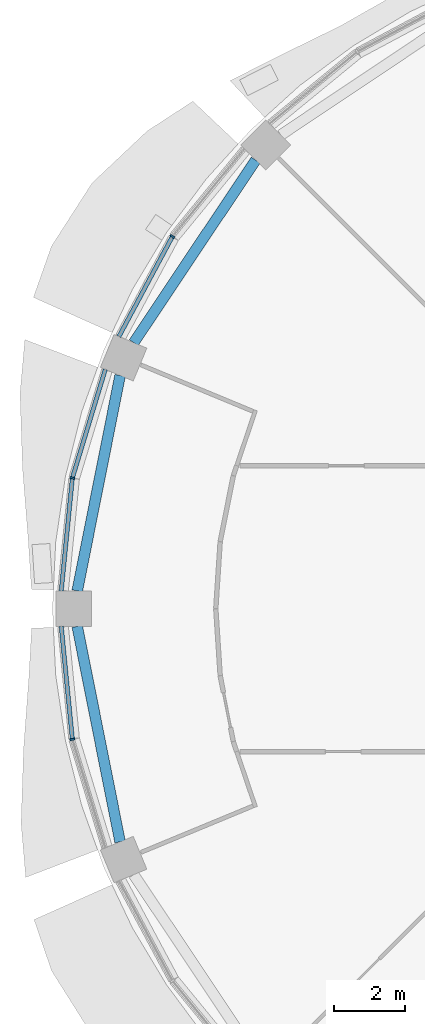
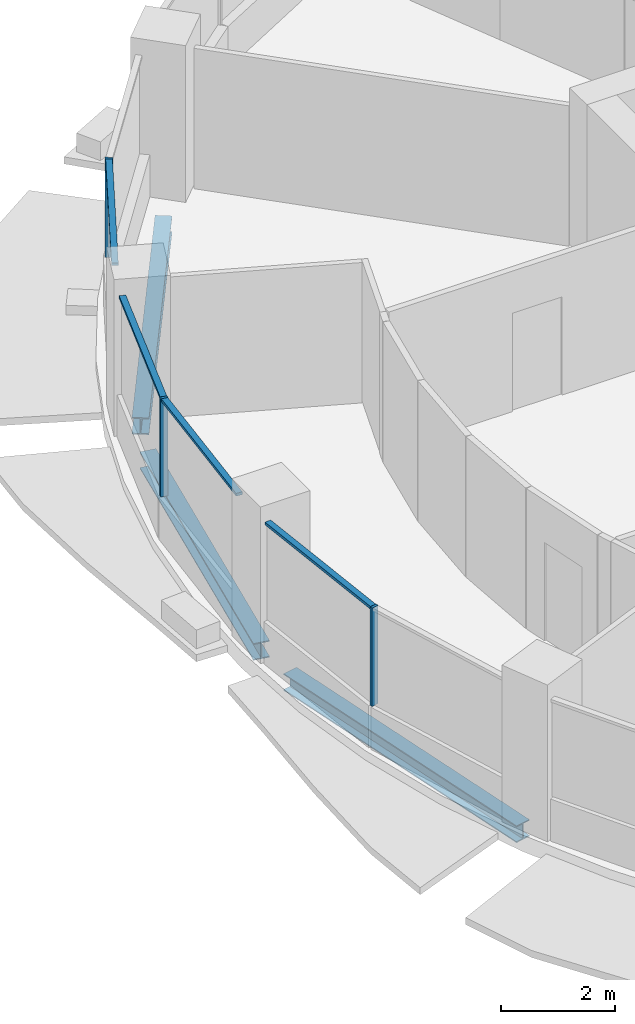
# One storey, part 4 of 15: 7 members, 3 beams, 3 elements without a shape of their own.
"""IFC4 building model written with IfcOpenShell, lengths in metres."""

import ifcopenshell
import ifcopenshell.guid

model = None  # the IFC model being written
_history = None  # IfcOwnerHistory: only IFC2X3 demands one
_inside = {}  # id of a spatial element -> (the spatial element, [elements in it])
_under = {}  # id of a project, library or spatial element -> (it, [spatial elements below it])
_declared = {}  # id of a project -> (the project, [libraries it declares])
_typed = {}  # id of a type object -> (the type object, [elements of that type])
_made_of = {}  # id of a material, layer set ... -> (it, [elements and type objects made of it])


def new_model(schema):
    """Start an empty IFC model of exactly this schema.

    Asked for "IFC4X3", IfcOpenShell would pick the latest addendum, in which some entities
    have other attributes; the version numbers below select the first issue.
    IFC2X3 requires an IfcOwnerHistory on every rooted entity: one is made here for all.
    """
    global model, _history
    if schema == "IFC4X3":
        model = ifcopenshell.file(schema_version=(4, 3, 0, 0))
    else:
        model = ifcopenshell.file(schema=schema)
    _inside.clear()
    _under.clear()
    _declared.clear()
    _typed.clear()
    _made_of.clear()
    _history = None
    if model.schema == "IFC2X3":
        org = make("IfcOrganization", Name="unknown")
        user = make(
            "IfcPersonAndOrganization",
            ThePerson=make("IfcPerson", FamilyName="unknown"),
            TheOrganization=org,
        )
        app = make(
            "IfcApplication",
            ApplicationDeveloper=org,
            Version="unknown",
            ApplicationFullName="unknown",
            ApplicationIdentifier="unknown",
        )
        _history = make(
            "IfcOwnerHistory",
            OwningUser=user,
            OwningApplication=app,
            ChangeAction="ADDED",
            CreationDate=0,
        )
    return model


def make(cls, **values):
    """One entity of the class cls with the attributes given. An attribute that is None is left unset."""
    return model.create_entity(
        cls, **{name: value for name, value in values.items() if value is not None}
    )


def rooted(cls, **values):
    """An entity with a GlobalId (a new one), such as an element, a storey or a relation."""
    return make(cls, GlobalId=ifcopenshell.guid.new(), OwnerHistory=_history, **values)


def si_unit(unit_type, name, prefix=None):
    """IfcSIUnit, for example si_unit("LENGTHUNIT", "METRE", prefix="MILLI")."""
    return make("IfcSIUnit", UnitType=unit_type, Prefix=prefix, Name=name)


def assignment(units):
    """IfcUnitAssignment: the units of a project."""
    return None if units is None else make("IfcUnitAssignment", Units=units)


def point(xyz):
    """IfcCartesianPoint."""
    return None if xyz is None else make("IfcCartesianPoint", Coordinates=xyz)


def direction(xyz):
    """IfcDirection."""
    return None if xyz is None else make("IfcDirection", DirectionRatios=xyz)


def frame(location, z_axis=None, x_axis=None):
    """IfcAxis2Placement3D, a coordinate frame: its origin and axes. An axis left out is left unset."""
    return make(
        "IfcAxis2Placement3D",
        Location=point(location),
        Axis=direction(z_axis),
        RefDirection=direction(x_axis),
    )


def frame_2d(location, x_axis=None):
    """IfcAxis2Placement2D, a coordinate frame in the plane: its origin and x axis."""
    return make(
        "IfcAxis2Placement2D", Location=point(location), RefDirection=direction(x_axis)
    )


def origin():
    """The frame at (0, 0, 0) with its axes left unset."""
    return frame((0.0, 0.0, 0.0))


def origin_2d():
    """The frame at (0, 0) in the plane with its x axis left unset."""
    return frame_2d((0.0, 0.0))


def place(relative_to, where):
    """IfcLocalPlacement: puts the frame where relative to a parent placement (None: the world)."""
    return make(
        "IfcLocalPlacement", PlacementRelTo=relative_to, RelativePlacement=where
    )


def context(
    kind, dimensions, precision=None, world=None, true_north=None, identifier=None
):
    """IfcGeometricRepresentationContext, for example the 3D "Model" context."""
    return make(
        "IfcGeometricRepresentationContext",
        ContextIdentifier=identifier,
        ContextType=kind,
        CoordinateSpaceDimension=dimensions,
        Precision=precision,
        WorldCoordinateSystem=world,
        TrueNorth=true_north,
    )


def subcontext(parent, identifier, kind, view, scale=None):
    """IfcGeometricRepresentationSubContext, for example "Body" below "Model"."""
    return make(
        "IfcGeometricRepresentationSubContext",
        ContextIdentifier=identifier,
        ContextType=kind,
        ParentContext=parent,
        TargetScale=scale,
        TargetView=view,
    )


def project(units=None, contexts=None):
    """IfcProject with its units and contexts."""
    return rooted(
        "IfcProject",
        Name="project",
        RepresentationContexts=contexts,
        UnitsInContext=assignment(units),
    )


def spatial(cls, under=None, at=None, **own):
    """A site, building, storey or space (cls), placed at a placement, below another one or the project."""
    s = rooted(cls, ObjectPlacement=at, **own)
    if under is not None:
        _under.setdefault(under.id(), (under, []))[1].append(s)
    return s


def profile(cls, at=None, kind="AREA", **sizes):
    """A parametric profile (cls). Its sizes go by their IFC names, for example OverallWidth=200.0."""
    return make(cls, ProfileType=kind, Position=at, **sizes)


def rectangle(**sizes):
    """IfcRectangleProfileDef."""
    return profile("IfcRectangleProfileDef", **sizes)


def i_section(**sizes):
    """IfcIShapeProfileDef."""
    return profile("IfcIShapeProfileDef", **sizes)


def extrude(swept, where, along, depth):
    """IfcExtrudedAreaSolid: the profile swept, set in the frame where, extruded along a direction by depth."""
    return make(
        "IfcExtrudedAreaSolid",
        SweptArea=swept,
        Position=where,
        ExtrudedDirection=direction(along),
        Depth=depth,
    )


def shape(context_of_items, identifier, shape_type, items):
    """IfcShapeRepresentation: the items that make up one representation, for example the "Body"."""
    return make(
        "IfcShapeRepresentation",
        ContextOfItems=context_of_items,
        RepresentationIdentifier=identifier,
        RepresentationType=shape_type,
        Items=items,
    )


def material(Name=None, Category=None):
    """IfcMaterial."""
    return make("IfcMaterial", Name=Name, Category=Category)


def material_profile(
    of_material, cross_section, Name=None, Category=None, Priority=None
):
    """IfcMaterialProfile: a cross section and its material."""
    return make(
        "IfcMaterialProfile",
        Name=Name,
        Material=of_material,
        Profile=cross_section,
        Priority=Priority,
        Category=Category,
    )


def profile_set(profiles, Name=None, composite=None):
    """IfcMaterialProfileSet."""
    return make(
        "IfcMaterialProfileSet",
        Name=Name,
        MaterialProfiles=profiles,
        CompositeProfile=composite,
    )


def made_of(thing, what):
    """Note that an element or type object is made of a material, layer set ...; save() writes the relation."""
    if what is not None:
        _made_of.setdefault(what.id(), (what, []))[1].append(thing)
    return thing


def type_object(cls, material=None, **own):
    """A type object (cls), such as IfcWallType, which elements share."""
    return made_of(rooted(cls, **own), material)


def element(
    cls,
    number,
    at=None,
    inside=None,
    cuts=None,
    type_object=None,
    material=None,
    context=None,
    identifier="Body",
    shape_type=None,
    held_by="IfcProductDefinitionShape",
    body=None,
    shapes=None,
    **own,
):
    """One element of the class cls, such as IfcWall. Its Tag is "e" and its number.

    at: its placement. inside: the storey or other place that contains it. cuts: it is an
    opening in that element (IfcRelVoidsElement). A single representation is given by context,
    identifier, shape_type and body (its items); several are given by shapes. held_by: the class
    of the entity that holds the representations. save() writes the other relations.
    """
    e = rooted(cls, Tag="e%d" % number, ObjectPlacement=at, **own)
    if body is not None:
        shapes = [shape(context, identifier, shape_type, body)]
    if shapes is not None:
        e.Representation = make(held_by, Representations=shapes)
    if inside is not None:
        _inside.setdefault(inside.id(), (inside, []))[1].append(e)
    if cuts is not None:
        rooted(
            "IfcRelVoidsElement", RelatingBuildingElement=cuts, RelatedOpeningElement=e
        )
    if type_object is not None:
        _typed.setdefault(type_object.id(), (type_object, []))[1].append(e)
    return made_of(e, material)


def aggregate(whole, parts):
    """IfcRelAggregates: a whole, such as a stair, and the parts it consists of."""
    return rooted("IfcRelAggregates", RelatingObject=whole, RelatedObjects=parts)


def save(model, path):
    """Write the relations noted so far, then the file.

    IfcRelAggregates (storeys below a building ...), IfcRelContainedInSpatialStructure (elements
    in a storey), IfcRelDefinesByType, IfcRelAssociatesMaterial and IfcRelDeclares: one each for
    every whole, place, type object, material and project.
    """
    for whole, parts in _under.values():
        aggregate(whole, parts)
    for where, things in _inside.values():
        rooted(
            "IfcRelContainedInSpatialStructure",
            RelatedElements=things,
            RelatingStructure=where,
        )
    for kind, things in _typed.values():
        rooted("IfcRelDefinesByType", RelatedObjects=things, RelatingType=kind)
    for what, things in _made_of.values():
        rooted("IfcRelAssociatesMaterial", RelatedObjects=things, RelatingMaterial=what)
    for by, libraries in _declared.values():
        rooted("IfcRelDeclares", RelatingContext=by, RelatedDefinitions=libraries)
    model.write(path)


model = new_model("IFC4")

# Units and contexts
model_context = context("Model", 3, precision=1e-05, world=origin(), true_north=direction((0.0, 1.0)))
body_context = subcontext(model_context, "Body", "Model", "MODEL_VIEW")
ifc_project = project(units=[si_unit("LENGTHUNIT", "METRE"), si_unit("AREAUNIT", "SQUARE_METRE"), si_unit("VOLUMEUNIT", "CUBIC_METRE"), si_unit("PLANEANGLEUNIT", "RADIAN"), si_unit("MASSUNIT", "GRAM", prefix="KILO")], contexts=[model_context])

# Site, building, storey
site_placement = place(None, origin())
site = spatial("IfcSite", under=ifc_project, at=site_placement, CompositionType="ELEMENT")
building_placement = place(site_placement, origin())
building = spatial("IfcBuilding", under=site, at=building_placement, Name="Polderwave Tower", CompositionType="ELEMENT")
storey_placement = place(building_placement, frame((0.0, 0.0, 124.300048828125)))
storey = spatial("IfcBuildingStorey", under=building, at=storey_placement, Name="L32", CompositionType="ELEMENT", Elevation=124.300048828125)

# Curtain wall, member
ifc_material_1 = material(Name="Aluminium 6063-T6 and glass", Category="aluminium")
curtain_wall_type = type_object("IfcCurtainWallType", Name="Office ribbon glazing wall", PredefinedType="NOTDEFINED", material=ifc_material_1)
curtain_wall_1_placement = place(storey_placement, origin())
curtain_wall_1 = element("IfcCurtainWall", 1, at=curtain_wall_1_placement, inside=storey, type_object=curtain_wall_type, Name="CW3 L32 06", PredefinedType="NOTDEFINED")
ifc_material_2 = material(Name="Aluminium 6063-T6", Category="aluminium")
ifc_material_profile_1 = material_profile(ifc_material_2, rectangle(XDim=0.139892578125, YDim=0.054931640625, at=origin_2d()), Name="AL 55x140")
ifc_profile_set_1 = profile_set([ifc_material_profile_1], Name="Aluminium 6063-T6")
member_type_1 = type_object("IfcMemberType", Name="Office ribbon glazing mullion 55x140", PredefinedType="MULLION", material=ifc_profile_set_1)
member_1_placement = place(storey_placement, frame((-15.681884765625, 10.47802734375, 0.89990234375), z_axis=(0.0, 0.0, 1.0), x_axis=(0.831453127836, -0.555594902975, 0.0)))
member_1 = element("IfcMember", 2, at=member_1_placement, type_object=member_type_1, Name="CW3 mullion 1", PredefinedType="MULLION", context=body_context, shape_type="SweptSolid", body=[
    extrude(rectangle(XDim=0.139892578125, YDim=0.054931640625, at=origin_2d()), origin(), (0.0, 0.0, 1.0), 2.10009765625),
])

curtain_wall_2_placement = place(storey_placement, origin())
curtain_wall_2 = element("IfcCurtainWall", 3, at=curtain_wall_2_placement, inside=storey, type_object=curtain_wall_type, Name="CW3 L32 07", PredefinedType="NOTDEFINED")
member_2_placement = place(storey_placement, frame((-18.498046875, 3.678955078125, 0.89990234375), z_axis=(0.0, 0.0, 1.0), x_axis=(0.98077778875, -0.195127981324, 0.0)))
member_2 = element("IfcMember", 4, at=member_2_placement, type_object=member_type_1, Name="CW3 mullion 1", PredefinedType="MULLION", context=body_context, shape_type="SweptSolid", body=[
    extrude(rectangle(XDim=0.139892578125, YDim=0.054931640625, at=origin_2d()), origin(), (0.0, 0.0, 1.0), 2.10009765625),
])

curtain_wall_3_placement = place(storey_placement, origin())
curtain_wall_3 = element("IfcCurtainWall", 5, at=curtain_wall_3_placement, inside=storey, type_object=curtain_wall_type, Name="CW3 L32 08", PredefinedType="NOTDEFINED")
member_3_placement = place(storey_placement, frame((-18.498046875, -3.678955078125, 0.89990234375), z_axis=(0.0, 0.0, 1.0), x_axis=(0.98077778875, 0.195127981324, 0.0)))
member_3 = element("IfcMember", 6, at=member_3_placement, type_object=member_type_1, Name="CW3 mullion 1", PredefinedType="MULLION", context=body_context, shape_type="SweptSolid", body=[
    extrude(rectangle(XDim=0.139892578125, YDim=0.054931640625, at=origin_2d()), origin(), (0.0, 0.0, 1.0), 2.10009765625),
])

# Member
ifc_material_profile_2 = material_profile(ifc_material_2, rectangle(XDim=0.1201171875, YDim=0.06005859375, at=origin_2d()), Name="AL 60x120")
ifc_profile_set_2 = profile_set([ifc_material_profile_2], Name="Aluminium 6063-T6")
member_type_2 = type_object("IfcMemberType", Name="Office ribbon glazing transom 60x120", PredefinedType="USERDEFINED", material=ifc_profile_set_2)
member_4_placement = place(storey_placement, frame((-15.695068359375, 10.45361328125, 2.969970703125), z_axis=(-0.471440336956, -0.881897958208, 0.0), x_axis=(0.881897958208, -0.471440336956, 0.0)))
member_4 = element("IfcMember", 7, at=member_4_placement, type_object=member_type_2, Name="CW3 transom 2", ObjectType="TRANSOM", PredefinedType="USERDEFINED", context=body_context, shape_type="SweptSolid", body=[
    extrude(rectangle(XDim=0.1201171875, YDim=0.06005859375, at=origin_2d()), origin(), (0.0, 0.0, 1.0), 3.166748046875),
])

aggregate(curtain_wall_1, [member_1, member_4])

member_5_placement = place(storey_placement, frame((-17.570068359375, 6.737060546875, 2.969970703125), z_axis=(-0.290358126892, -0.95691805195, 0.0), x_axis=(0.95691805195, -0.290358126892, 0.0)))
member_5 = element("IfcMember", 8, at=member_5_placement, type_object=member_type_2, Name="CW3 transom 1", ObjectType="TRANSOM", PredefinedType="USERDEFINED", context=body_context, shape_type="SweptSolid", body=[
    extrude(rectangle(XDim=0.1201171875, YDim=0.06005859375, at=origin_2d()), origin(), (0.0, 0.0, 1.0), 3.168212890625),
])

member_6_placement = place(storey_placement, frame((-18.500732421875, 3.651611328125, 2.969970703125), z_axis=(-0.09798465056, -0.9951879261, 0.0), x_axis=(0.9951879261, -0.09798465056, 0.0)))
member_6 = element("IfcMember", 9, at=member_6_placement, type_object=member_type_2, Name="CW3 transom 2", ObjectType="TRANSOM", PredefinedType="USERDEFINED", context=body_context, shape_type="SweptSolid", body=[
    extrude(rectangle(XDim=0.1201171875, YDim=0.06005859375, at=origin_2d()), origin(), (0.0, 0.0, 1.0), 3.166748046875),
])

aggregate(curtain_wall_2, [member_2, member_5, member_6])

member_7_placement = place(storey_placement, frame((-18.81103515625, -0.5, 2.969970703125), z_axis=(0.09798465056, -0.9951879261, 0.0), x_axis=(0.9951879261, 0.09798465056, 0.0)))
member_7 = element("IfcMember", 10, at=member_7_placement, type_object=member_type_2, Name="CW3 transom 1", ObjectType="TRANSOM", PredefinedType="USERDEFINED", context=body_context, shape_type="SweptSolid", body=[
    extrude(rectangle(XDim=0.1201171875, YDim=0.06005859375, at=origin_2d()), origin(), (0.0, 0.0, 1.0), 3.166748046875),
])

aggregate(curtain_wall_3, [member_3, member_7])

# Beams
ifc_material_3 = material(Name="Steel S355", Category="steel")
ifc_material_profile_3 = material_profile(ifc_material_3, i_section(OverallWidth=0.300048828125, OverallDepth=0.360107421875, WebThickness=0.012451171875, FlangeThickness=0.0224609375, at=origin_2d()), Name="HE 360 B")
ifc_profile_set_3 = profile_set([ifc_material_profile_3], Name="Steel S355")
beam_type = type_object("IfcBeamType", Name="RING BEAM HE 360 B", PredefinedType="BEAM", material=ifc_profile_set_3)
beam_placement = place(storey_placement, frame((-13.33642578125, 12.62939453125, -0.530029296875), z_axis=(-0.555556426907, -0.831478837086, 0.0), x_axis=(0.831478837086, -0.555556426907, 0.0)))
element("IfcBeam", 11, at=beam_placement, inside=storey, type_object=beam_type, Name="ST-RB-L32-06", PredefinedType="BEAM", context=body_context, shape_type="SweptSolid", body=[
    extrude(i_section(OverallWidth=0.300048828125, OverallDepth=0.360107421875, WebThickness=0.012451171875, FlangeThickness=0.0224609375, at=origin_2d()), origin(), (0.0, 0.0, 1.0), 6.18310546875),
])
for number, where, z_axis, x_axis, name in (
    (12, (-17.154296875, 6.564453125, -0.530029296875), (-0.195090959886, -0.980785153523, 0.0), (0.980785153523, -0.195090959886, 0.0), "ST-RB-L32-07"),
    (13, (-18.360595703125, -0.5, -0.530029296875), (0.195090959886, -0.980785153523, 0.0), (0.980785153523, 0.195090959886, 0.0), "ST-RB-L32-08"),
):
    element("IfcBeam", number, at=place(storey_placement, frame(where, z_axis=z_axis, x_axis=x_axis)), inside=storey, type_object=beam_type, Name=name, PredefinedType="BEAM", context=body_context, shape_type="SweptSolid", body=[
        extrude(i_section(OverallWidth=0.300048828125, OverallDepth=0.360107421875, WebThickness=0.012451171875, FlangeThickness=0.0224609375, at=origin_2d()), origin(), (0.0, 0.0, 1.0), 6.183349609375),
    ])

save(model, "model.ifc")
